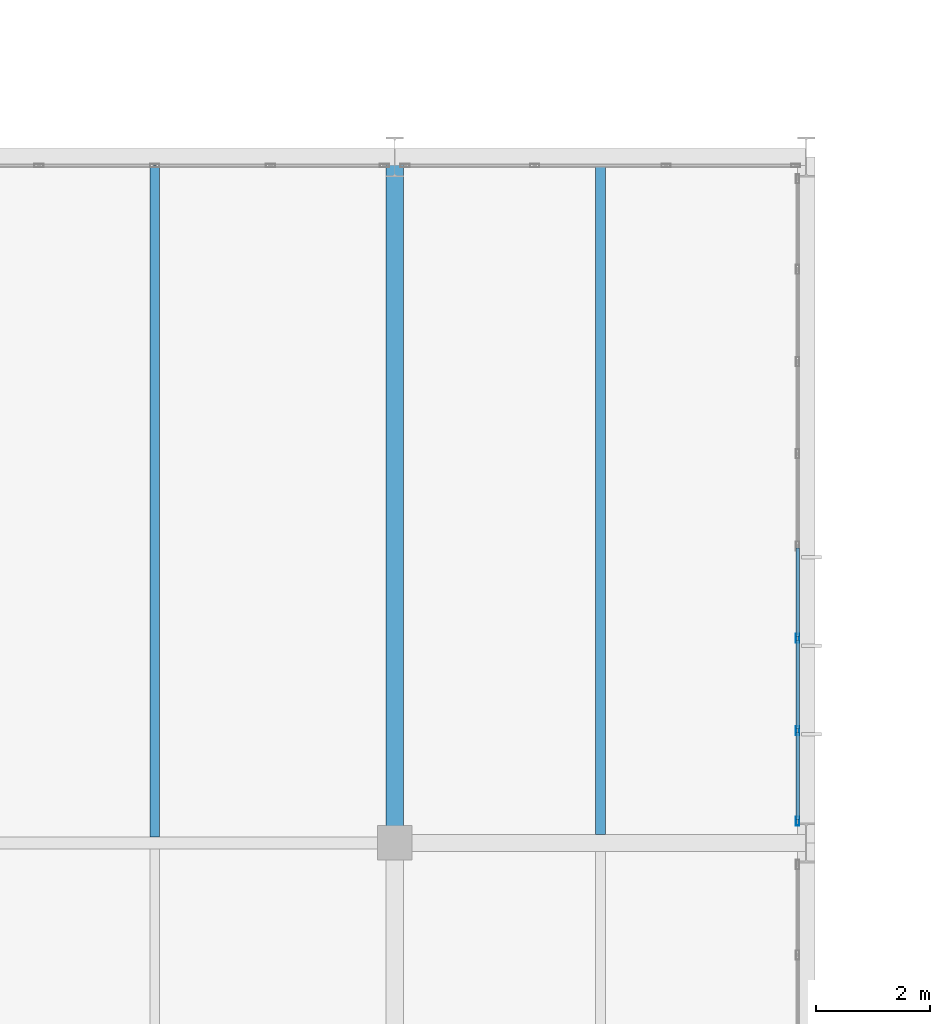
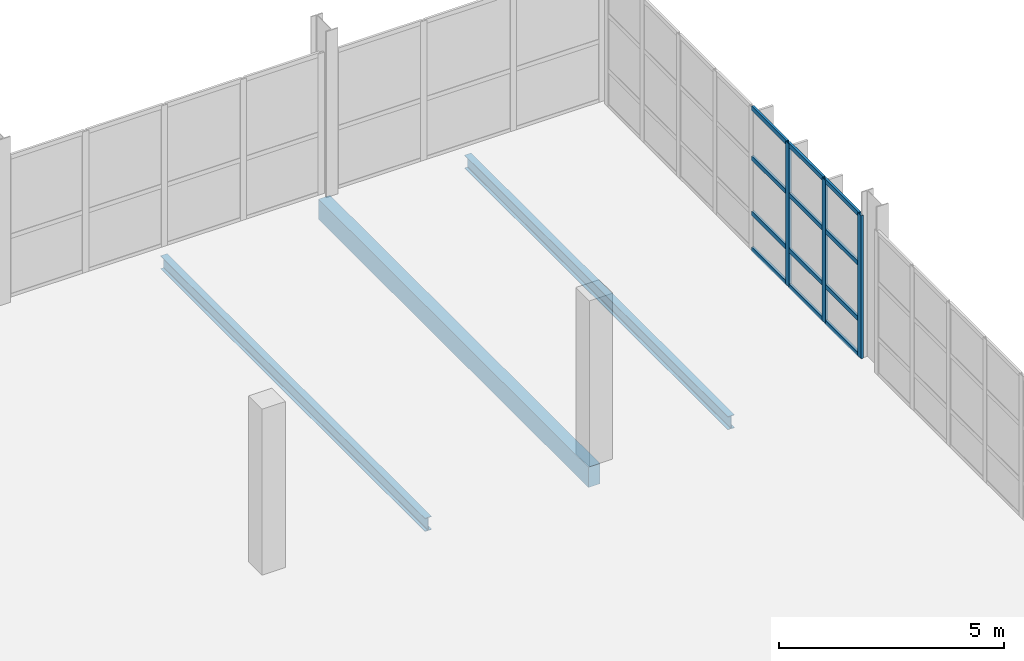
# One storey, part 84 of 113: 15 members, 3 beams, 1 element without a shape of its own.
"""IFC4 building model written with IfcOpenShell, lengths in metres."""

import ifcopenshell
import ifcopenshell.guid

model = None  # the IFC model being written
_history = None  # IfcOwnerHistory: only IFC2X3 demands one
_inside = {}  # id of a spatial element -> (the spatial element, [elements in it])
_under = {}  # id of a project, library or spatial element -> (it, [spatial elements below it])
_declared = {}  # id of a project -> (the project, [libraries it declares])
_typed = {}  # id of a type object -> (the type object, [elements of that type])
_made_of = {}  # id of a material, layer set ... -> (it, [elements and type objects made of it])


def new_model(schema):
    """Start an empty IFC model of exactly this schema.

    Asked for "IFC4X3", IfcOpenShell would pick the latest addendum, in which some entities
    have other attributes; the version numbers below select the first issue.
    IFC2X3 requires an IfcOwnerHistory on every rooted entity: one is made here for all.
    """
    global model, _history
    if schema == "IFC4X3":
        model = ifcopenshell.file(schema_version=(4, 3, 0, 0))
    else:
        model = ifcopenshell.file(schema=schema)
    _inside.clear()
    _under.clear()
    _declared.clear()
    _typed.clear()
    _made_of.clear()
    _history = None
    if model.schema == "IFC2X3":
        org = make("IfcOrganization", Name="unknown")
        user = make(
            "IfcPersonAndOrganization",
            ThePerson=make("IfcPerson", FamilyName="unknown"),
            TheOrganization=org,
        )
        app = make(
            "IfcApplication",
            ApplicationDeveloper=org,
            Version="unknown",
            ApplicationFullName="unknown",
            ApplicationIdentifier="unknown",
        )
        _history = make(
            "IfcOwnerHistory",
            OwningUser=user,
            OwningApplication=app,
            ChangeAction="ADDED",
            CreationDate=0,
        )
    return model


def make(cls, **values):
    """One entity of the class cls with the attributes given. An attribute that is None is left unset."""
    return model.create_entity(
        cls, **{name: value for name, value in values.items() if value is not None}
    )


def rooted(cls, **values):
    """An entity with a GlobalId (a new one), such as an element, a storey or a relation."""
    return make(cls, GlobalId=ifcopenshell.guid.new(), OwnerHistory=_history, **values)


def si_unit(unit_type, name, prefix=None):
    """IfcSIUnit, for example si_unit("LENGTHUNIT", "METRE", prefix="MILLI")."""
    return make("IfcSIUnit", UnitType=unit_type, Prefix=prefix, Name=name)


def assignment(units):
    """IfcUnitAssignment: the units of a project."""
    return None if units is None else make("IfcUnitAssignment", Units=units)


def point(xyz):
    """IfcCartesianPoint."""
    return None if xyz is None else make("IfcCartesianPoint", Coordinates=xyz)


def direction(xyz):
    """IfcDirection."""
    return None if xyz is None else make("IfcDirection", DirectionRatios=xyz)


def frame(location, z_axis=None, x_axis=None):
    """IfcAxis2Placement3D, a coordinate frame: its origin and axes. An axis left out is left unset."""
    return make(
        "IfcAxis2Placement3D",
        Location=point(location),
        Axis=direction(z_axis),
        RefDirection=direction(x_axis),
    )


def frame_2d(location, x_axis=None):
    """IfcAxis2Placement2D, a coordinate frame in the plane: its origin and x axis."""
    return make(
        "IfcAxis2Placement2D", Location=point(location), RefDirection=direction(x_axis)
    )


def origin():
    """The frame at (0, 0, 0) with its axes left unset."""
    return frame((0.0, 0.0, 0.0))


def origin_2d():
    """The frame at (0, 0) in the plane with its x axis left unset."""
    return frame_2d((0.0, 0.0))


def place(relative_to, where):
    """IfcLocalPlacement: puts the frame where relative to a parent placement (None: the world)."""
    return make(
        "IfcLocalPlacement", PlacementRelTo=relative_to, RelativePlacement=where
    )


def context(
    kind, dimensions, precision=None, world=None, true_north=None, identifier=None
):
    """IfcGeometricRepresentationContext, for example the 3D "Model" context."""
    return make(
        "IfcGeometricRepresentationContext",
        ContextIdentifier=identifier,
        ContextType=kind,
        CoordinateSpaceDimension=dimensions,
        Precision=precision,
        WorldCoordinateSystem=world,
        TrueNorth=true_north,
    )


def subcontext(parent, identifier, kind, view, scale=None):
    """IfcGeometricRepresentationSubContext, for example "Body" below "Model"."""
    return make(
        "IfcGeometricRepresentationSubContext",
        ContextIdentifier=identifier,
        ContextType=kind,
        ParentContext=parent,
        TargetScale=scale,
        TargetView=view,
    )


def project(units=None, contexts=None):
    """IfcProject with its units and contexts."""
    return rooted(
        "IfcProject",
        Name="project",
        RepresentationContexts=contexts,
        UnitsInContext=assignment(units),
    )


def spatial(cls, under=None, at=None, **own):
    """A site, building, storey or space (cls), placed at a placement, below another one or the project."""
    s = rooted(cls, ObjectPlacement=at, **own)
    if under is not None:
        _under.setdefault(under.id(), (under, []))[1].append(s)
    return s


def profile(cls, at=None, kind="AREA", **sizes):
    """A parametric profile (cls). Its sizes go by their IFC names, for example OverallWidth=200.0."""
    return make(cls, ProfileType=kind, Position=at, **sizes)


def rectangle(**sizes):
    """IfcRectangleProfileDef."""
    return profile("IfcRectangleProfileDef", **sizes)


def hollow_rectangle(**sizes):
    """IfcRectangleHollowProfileDef."""
    return profile("IfcRectangleHollowProfileDef", **sizes)


def i_section(**sizes):
    """IfcIShapeProfileDef."""
    return profile("IfcIShapeProfileDef", **sizes)


def extrude(swept, where, along, depth):
    """IfcExtrudedAreaSolid: the profile swept, set in the frame where, extruded along a direction by depth."""
    return make(
        "IfcExtrudedAreaSolid",
        SweptArea=swept,
        Position=where,
        ExtrudedDirection=direction(along),
        Depth=depth,
    )


def shape(context_of_items, identifier, shape_type, items):
    """IfcShapeRepresentation: the items that make up one representation, for example the "Body"."""
    return make(
        "IfcShapeRepresentation",
        ContextOfItems=context_of_items,
        RepresentationIdentifier=identifier,
        RepresentationType=shape_type,
        Items=items,
    )


def material(Name=None, Category=None):
    """IfcMaterial."""
    return make("IfcMaterial", Name=Name, Category=Category)


def material_profile(
    of_material, cross_section, Name=None, Category=None, Priority=None
):
    """IfcMaterialProfile: a cross section and its material."""
    return make(
        "IfcMaterialProfile",
        Name=Name,
        Material=of_material,
        Profile=cross_section,
        Priority=Priority,
        Category=Category,
    )


def profile_set(profiles, Name=None, composite=None):
    """IfcMaterialProfileSet."""
    return make(
        "IfcMaterialProfileSet",
        Name=Name,
        MaterialProfiles=profiles,
        CompositeProfile=composite,
    )


def made_of(thing, what):
    """Note that an element or type object is made of a material, layer set ...; save() writes the relation."""
    if what is not None:
        _made_of.setdefault(what.id(), (what, []))[1].append(thing)
    return thing


def type_object(cls, material=None, **own):
    """A type object (cls), such as IfcWallType, which elements share."""
    return made_of(rooted(cls, **own), material)


def element(
    cls,
    number,
    at=None,
    inside=None,
    cuts=None,
    type_object=None,
    material=None,
    context=None,
    identifier="Body",
    shape_type=None,
    held_by="IfcProductDefinitionShape",
    body=None,
    shapes=None,
    **own,
):
    """One element of the class cls, such as IfcWall. Its Tag is "e" and its number.

    at: its placement. inside: the storey or other place that contains it. cuts: it is an
    opening in that element (IfcRelVoidsElement). A single representation is given by context,
    identifier, shape_type and body (its items); several are given by shapes. held_by: the class
    of the entity that holds the representations. save() writes the other relations.
    """
    e = rooted(cls, Tag="e%d" % number, ObjectPlacement=at, **own)
    if body is not None:
        shapes = [shape(context, identifier, shape_type, body)]
    if shapes is not None:
        e.Representation = make(held_by, Representations=shapes)
    if inside is not None:
        _inside.setdefault(inside.id(), (inside, []))[1].append(e)
    if cuts is not None:
        rooted(
            "IfcRelVoidsElement", RelatingBuildingElement=cuts, RelatedOpeningElement=e
        )
    if type_object is not None:
        _typed.setdefault(type_object.id(), (type_object, []))[1].append(e)
    return made_of(e, material)


def aggregate(whole, parts):
    """IfcRelAggregates: a whole, such as a stair, and the parts it consists of."""
    return rooted("IfcRelAggregates", RelatingObject=whole, RelatedObjects=parts)


def save(model, path):
    """Write the relations noted so far, then the file.

    IfcRelAggregates (storeys below a building ...), IfcRelContainedInSpatialStructure (elements
    in a storey), IfcRelDefinesByType, IfcRelAssociatesMaterial and IfcRelDeclares: one each for
    every whole, place, type object, material and project.
    """
    for whole, parts in _under.values():
        aggregate(whole, parts)
    for where, things in _inside.values():
        rooted(
            "IfcRelContainedInSpatialStructure",
            RelatedElements=things,
            RelatingStructure=where,
        )
    for kind, things in _typed.values():
        rooted("IfcRelDefinesByType", RelatedObjects=things, RelatingType=kind)
    for what, things in _made_of.values():
        rooted("IfcRelAssociatesMaterial", RelatedObjects=things, RelatingMaterial=what)
    for by, libraries in _declared.values():
        rooted("IfcRelDeclares", RelatingContext=by, RelatedDefinitions=libraries)
    model.write(path)


model = new_model("IFC4")

# Units and contexts
model_context = context("Model", 3, precision=1e-05, world=origin(), true_north=direction((0.0, 1.0)))
body_context = subcontext(model_context, "Body", "Model", "MODEL_VIEW")
ifc_project = project(units=[si_unit("LENGTHUNIT", "METRE"), si_unit("AREAUNIT", "SQUARE_METRE"), si_unit("VOLUMEUNIT", "CUBIC_METRE"), si_unit("PLANEANGLEUNIT", "RADIAN"), si_unit("MASSUNIT", "GRAM", prefix="KILO")], contexts=[model_context])

# Site, building, storey
site_placement = place(None, origin())
site = spatial("IfcSite", under=ifc_project, at=site_placement, CompositionType="ELEMENT")
building_placement = place(site_placement, origin())
building = spatial("IfcBuilding", under=site, at=building_placement, Name="Veltarok Museum of Natural Sciences", CompositionType="ELEMENT")
storey_placement = place(building_placement, frame((0.0, 0.0, 8.39990234375)))
storey = spatial("IfcBuildingStorey", under=building, at=storey_placement, Name="L01", CompositionType="ELEMENT", Elevation=8.39990234375)

# Curtain wall, members
ifc_material_1 = material(Name="Low-iron triple insulated glass", Category="glass")
curtain_wall_type = type_object("IfcCurtainWallType", Name="Curtain Wall System CW-V5E-L01-G-1130x388 (V5 East Lab L01 G-H 1130x388cm)", PredefinedType="NOTDEFINED", material=ifc_material_1)
curtain_wall_placement = place(storey_placement, origin())
curtain_wall = element("IfcCurtainWall", 1, at=curtain_wall_placement, inside=storey, type_object=curtain_wall_type, Name="Curtain Wall CW-V5E-L01-G-1130x388 CW-0108", PredefinedType="NOTDEFINED")
ifc_material_2 = material(Name="Thermally broken anodised aluminium", Category="aluminium")
ifc_material_profile_1 = material_profile(ifc_material_2, hollow_rectangle(XDim=0.06005859375, YDim=0.1201171875, WallThickness=0.0048828125, at=origin_2d()), Name="CW TRANSOM 60x120x5")
ifc_profile_set_1 = profile_set([ifc_material_profile_1], Name="Thermally broken anodised aluminium")
member_type_1 = type_object("IfcMemberType", Name="Curtain Wall Horizontal Transom 60x120x5", PredefinedType="USERDEFINED", material=ifc_profile_set_1)
member_1_placement = place(storey_placement, frame((164.64990234375, 60.409912109375, 0.030029296875), z_axis=(0.0, 1.0, 0.0), x_axis=(-1.0, 0.0, 0.0)))
member_1 = element("IfcMember", 2, at=member_1_placement, type_object=member_type_1, Name="CW-V5E-L01-G-1130x388 transom 1.1", ObjectType="TRANSOM", PredefinedType="USERDEFINED", context=body_context, shape_type="SweptSolid", body=[
    extrude(hollow_rectangle(XDim=0.06005859375, YDim=0.1201171875, WallThickness=0.0048828125, at=origin_2d()), origin(), (0.0, 0.0, 1.0), 1.5244140625),
])
member_2_placement = place(storey_placement, frame((164.64990234375, 60.409912109375, 1.0), z_axis=(0.0, 1.0, 0.0), x_axis=(-1.0, 0.0, 0.0)))
member_2 = element("IfcMember", 3, at=member_2_placement, type_object=member_type_1, Name="CW-V5E-L01-G-1130x388 transom 1.2", ObjectType="TRANSOM", PredefinedType="USERDEFINED", context=body_context, shape_type="SweptSolid", body=[
    extrude(hollow_rectangle(XDim=0.06005859375, YDim=0.1201171875, WallThickness=0.0048828125, at=origin_2d()), origin(), (0.0, 0.0, 1.0), 1.5244140625),
])
member_3_placement = place(storey_placement, frame((164.64990234375, 60.409912109375, 2.5), z_axis=(0.0, 1.0, 0.0), x_axis=(-1.0, 0.0, 0.0)))
member_3 = element("IfcMember", 4, at=member_3_placement, type_object=member_type_1, Name="CW-V5E-L01-G-1130x388 transom 1.3", ObjectType="TRANSOM", PredefinedType="USERDEFINED", context=body_context, shape_type="SweptSolid", body=[
    extrude(hollow_rectangle(XDim=0.06005859375, YDim=0.1201171875, WallThickness=0.0048828125, at=origin_2d()), origin(), (0.0, 0.0, 1.0), 1.5244140625),
])
member_4_placement = place(storey_placement, frame((164.64990234375, 60.409912109375, 3.85009765625), z_axis=(0.0, 1.0, 0.0), x_axis=(-1.0, 0.0, 0.0)))
member_4 = element("IfcMember", 5, at=member_4_placement, type_object=member_type_1, Name="CW-V5E-L01-G-1130x388 transom 1.4", ObjectType="TRANSOM", PredefinedType="USERDEFINED", context=body_context, shape_type="SweptSolid", body=[
    extrude(hollow_rectangle(XDim=0.06005859375, YDim=0.1201171875, WallThickness=0.0048828125, at=origin_2d()), origin(), (0.0, 0.0, 1.0), 1.5244140625),
])
member_5_placement = place(storey_placement, frame((164.64990234375, 61.994384765625, 0.030029296875), z_axis=(0.0, 1.0, 0.0), x_axis=(-1.0, 0.0, 0.0)))
member_5 = element("IfcMember", 6, at=member_5_placement, type_object=member_type_1, Name="CW-V5E-L01-G-1130x388 transom 2.1", ObjectType="TRANSOM", PredefinedType="USERDEFINED", context=body_context, shape_type="SweptSolid", body=[
    extrude(hollow_rectangle(XDim=0.06005859375, YDim=0.1201171875, WallThickness=0.0048828125, at=origin_2d()), origin(), (0.0, 0.0, 1.0), 1.55419921875),
])
member_6_placement = place(storey_placement, frame((164.64990234375, 61.994384765625, 1.0), z_axis=(0.0, 1.0, 0.0), x_axis=(-1.0, 0.0, 0.0)))
member_6 = element("IfcMember", 7, at=member_6_placement, type_object=member_type_1, Name="CW-V5E-L01-G-1130x388 transom 2.2", ObjectType="TRANSOM", PredefinedType="USERDEFINED", context=body_context, shape_type="SweptSolid", body=[
    extrude(hollow_rectangle(XDim=0.06005859375, YDim=0.1201171875, WallThickness=0.0048828125, at=origin_2d()), origin(), (0.0, 0.0, 1.0), 1.55419921875),
])
member_7_placement = place(storey_placement, frame((164.64990234375, 61.994384765625, 2.5), z_axis=(0.0, 1.0, 0.0), x_axis=(-1.0, 0.0, 0.0)))
member_7 = element("IfcMember", 8, at=member_7_placement, type_object=member_type_1, Name="CW-V5E-L01-G-1130x388 transom 2.3", ObjectType="TRANSOM", PredefinedType="USERDEFINED", context=body_context, shape_type="SweptSolid", body=[
    extrude(hollow_rectangle(XDim=0.06005859375, YDim=0.1201171875, WallThickness=0.0048828125, at=origin_2d()), origin(), (0.0, 0.0, 1.0), 1.55419921875),
])
member_8_placement = place(storey_placement, frame((164.64990234375, 61.994384765625, 3.85009765625), z_axis=(0.0, 1.0, 0.0), x_axis=(-1.0, 0.0, 0.0)))
member_8 = element("IfcMember", 9, at=member_8_placement, type_object=member_type_1, Name="CW-V5E-L01-G-1130x388 transom 2.4", ObjectType="TRANSOM", PredefinedType="USERDEFINED", context=body_context, shape_type="SweptSolid", body=[
    extrude(hollow_rectangle(XDim=0.06005859375, YDim=0.1201171875, WallThickness=0.0048828125, at=origin_2d()), origin(), (0.0, 0.0, 1.0), 1.55419921875),
])
member_9_placement = place(storey_placement, frame((164.64990234375, 63.608642578125, 0.030029296875), z_axis=(0.0, 1.0, 0.0), x_axis=(-1.0, 0.0, 0.0)))
member_9 = element("IfcMember", 10, at=member_9_placement, type_object=member_type_1, Name="CW-V5E-L01-G-1130x388 transom 3.1", ObjectType="TRANSOM", PredefinedType="USERDEFINED", context=body_context, shape_type="SweptSolid", body=[
    extrude(hollow_rectangle(XDim=0.06005859375, YDim=0.1201171875, WallThickness=0.0048828125, at=origin_2d()), origin(), (0.0, 0.0, 1.0), 1.55419921875),
])
member_10_placement = place(storey_placement, frame((164.64990234375, 63.608642578125, 1.0), z_axis=(0.0, 1.0, 0.0), x_axis=(-1.0, 0.0, 0.0)))
member_10 = element("IfcMember", 11, at=member_10_placement, type_object=member_type_1, Name="CW-V5E-L01-G-1130x388 transom 3.2", ObjectType="TRANSOM", PredefinedType="USERDEFINED", context=body_context, shape_type="SweptSolid", body=[
    extrude(hollow_rectangle(XDim=0.06005859375, YDim=0.1201171875, WallThickness=0.0048828125, at=origin_2d()), origin(), (0.0, 0.0, 1.0), 1.55419921875),
])
member_11_placement = place(storey_placement, frame((164.64990234375, 63.608642578125, 2.5), z_axis=(0.0, 1.0, 0.0), x_axis=(-1.0, 0.0, 0.0)))
member_11 = element("IfcMember", 12, at=member_11_placement, type_object=member_type_1, Name="CW-V5E-L01-G-1130x388 transom 3.3", ObjectType="TRANSOM", PredefinedType="USERDEFINED", context=body_context, shape_type="SweptSolid", body=[
    extrude(hollow_rectangle(XDim=0.06005859375, YDim=0.1201171875, WallThickness=0.0048828125, at=origin_2d()), origin(), (0.0, 0.0, 1.0), 1.55419921875),
])
member_12_placement = place(storey_placement, frame((164.64990234375, 63.608642578125, 3.85009765625), z_axis=(0.0, 1.0, 0.0), x_axis=(-1.0, 0.0, 0.0)))
member_12 = element("IfcMember", 13, at=member_12_placement, type_object=member_type_1, Name="CW-V5E-L01-G-1130x388 transom 3.4", ObjectType="TRANSOM", PredefinedType="USERDEFINED", context=body_context, shape_type="SweptSolid", body=[
    extrude(hollow_rectangle(XDim=0.06005859375, YDim=0.1201171875, WallThickness=0.0048828125, at=origin_2d()), origin(), (0.0, 0.0, 1.0), 1.55419921875),
])
ifc_material_profile_2 = material_profile(ifc_material_2, hollow_rectangle(XDim=0.06005859375, YDim=0.159912109375, WallThickness=0.0048828125, at=origin_2d()), Name="CW MULLION 60x160x5")
ifc_profile_set_2 = profile_set([ifc_material_profile_2], Name="Thermally broken anodised aluminium")
member_type_2 = type_object("IfcMemberType", Name="Curtain Wall Vertical Mullion 60x160x5", PredefinedType="MULLION", material=ifc_profile_set_2)
member_13_placement = place(storey_placement, frame((164.64990234375, 60.3798828125, 0.0), z_axis=(0.0, 0.0, 1.0), x_axis=(-1.0, 0.0, 0.0)))
member_13 = element("IfcMember", 14, at=member_13_placement, type_object=member_type_2, Name="CW-V5E-L01-G-1130x388 mullion 1", PredefinedType="MULLION", context=body_context, shape_type="SweptSolid", body=[
    extrude(hollow_rectangle(XDim=0.06005859375, YDim=0.159912109375, WallThickness=0.0048828125, at=origin_2d()), origin(), (0.0, 0.0, 1.0), 3.880126953125),
])
member_14_placement = place(storey_placement, frame((164.64990234375, 61.96435546875, 0.0), z_axis=(0.0, 0.0, 1.0), x_axis=(-1.0, 0.0, 0.0)))
member_14 = element("IfcMember", 15, at=member_14_placement, type_object=member_type_2, Name="CW-V5E-L01-G-1130x388 mullion 2", PredefinedType="MULLION", context=body_context, shape_type="SweptSolid", body=[
    extrude(hollow_rectangle(XDim=0.06005859375, YDim=0.159912109375, WallThickness=0.0048828125, at=origin_2d()), origin(), (0.0, 0.0, 1.0), 3.880126953125),
])
member_15_placement = place(storey_placement, frame((164.64990234375, 63.57861328125, 0.0), z_axis=(0.0, 0.0, 1.0), x_axis=(-1.0, 0.0, 0.0)))
member_15 = element("IfcMember", 16, at=member_15_placement, type_object=member_type_2, Name="CW-V5E-L01-G-1130x388 mullion 3", PredefinedType="MULLION", context=body_context, shape_type="SweptSolid", body=[
    extrude(hollow_rectangle(XDim=0.06005859375, YDim=0.159912109375, WallThickness=0.0048828125, at=origin_2d()), origin(), (0.0, 0.0, 1.0), 3.880126953125),
])
aggregate(curtain_wall, [member_13, member_14, member_15, member_1, member_2, member_3, member_4, member_5, member_6, member_7, member_8, member_9, member_10, member_11, member_12])

# Beams
ifc_material_3 = material(Name="Precast concrete C40/50", Category="concrete")
ifc_material_profile_3 = material_profile(ifc_material_3, rectangle(XDim=0.300048828125, YDim=0.550048828125, at=origin_2d()), Name="RC 300x550")
ifc_profile_set_3 = profile_set([ifc_material_profile_3], Name="Precast concrete C40/50")
beam_type_1 = type_object("IfcBeamType", Name="East Wing Precast Spandrel RC 300x550", PredefinedType="SPANDREL", material=ifc_profile_set_3)
beam_1_placement = place(storey_placement, frame((157.60009765625, 60.0, -0.52490234375), z_axis=(0.0, 1.0, 0.0), x_axis=(-1.0, 0.0, 0.0)))
element("IfcBeam", 17, at=beam_1_placement, inside=storey, type_object=beam_type_1, Name="Beam BM-SP02 L01 19/G-H", PredefinedType="SPANDREL", context=body_context, shape_type="SweptSolid", body=[
    extrude(rectangle(XDim=0.300048828125, YDim=0.550048828125, at=origin_2d()), origin(), (0.0, 0.0, 1.0), 12.0),
])
ifc_material_4 = material(Name="Steel S355J2", Category="steel")
ifc_material_profile_4 = material_profile(ifc_material_4, i_section(OverallWidth=0.169921875, OverallDepth=0.360107421875, WebThickness=0.008056640625, FlangeThickness=0.0126953125, FilletRadius=0.01806640625, at=origin_2d()), Name="IPE 360")
ifc_profile_set_4 = profile_set([ifc_material_profile_4], Name="Steel S355J2")
beam_type_2 = type_object("IfcBeamType", Name="Long-Bay Composite Joist IPE 360", PredefinedType="JOIST", material=ifc_profile_set_4)
beam_2_placement = place(storey_placement, frame((153.39990234375, 60.10302734375, -0.429931640625), z_axis=(0.0, 1.0, 0.0), x_axis=(-1.0, 0.0, 0.0)))
element("IfcBeam", 18, at=beam_2_placement, inside=storey, type_object=beam_type_2, Name="Secondary Joist BM-J01 L01 18-19/G-H.1", PredefinedType="JOIST", context=body_context, shape_type="SweptSolid", body=[
    extrude(i_section(OverallWidth=0.169921875, OverallDepth=0.360107421875, WebThickness=0.008056640625, FlangeThickness=0.0126953125, FilletRadius=0.01806640625, at=origin_2d()), origin(), (0.0, 0.0, 1.0), 11.7490234375),
])
beam_3_placement = place(storey_placement, frame((161.199951171875, 60.14794921875, -0.429931640625), z_axis=(0.0, 1.0, 0.0), x_axis=(-1.0, 0.0, 0.0)))
element("IfcBeam", 19, at=beam_3_placement, inside=storey, type_object=beam_type_2, Name="Secondary Joist BM-J01 L01 19-20/G-H.1", PredefinedType="JOIST", context=body_context, shape_type="SweptSolid", body=[
    extrude(i_section(OverallWidth=0.169921875, OverallDepth=0.360107421875, WebThickness=0.008056640625, FlangeThickness=0.0126953125, FilletRadius=0.01806640625, at=origin_2d()), origin(), (0.0, 0.0, 1.0), 11.7041015625),
])

save(model, "model.ifc")
